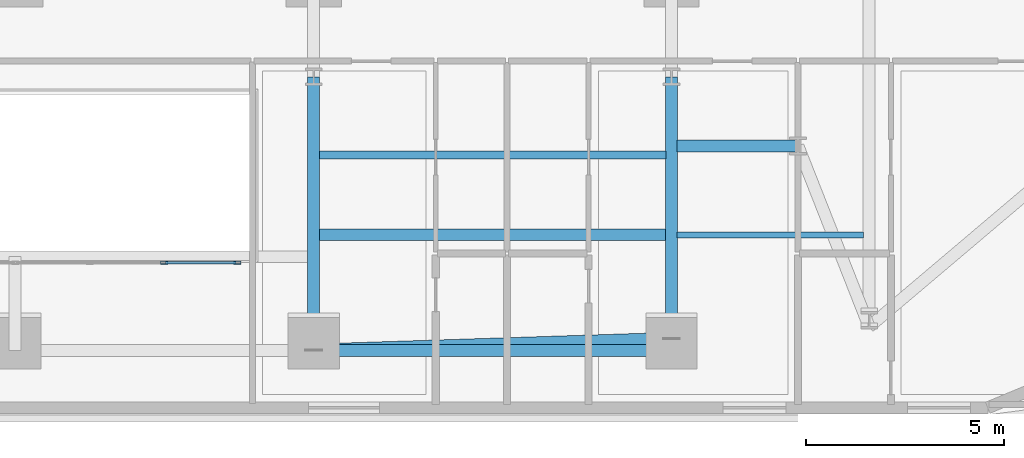
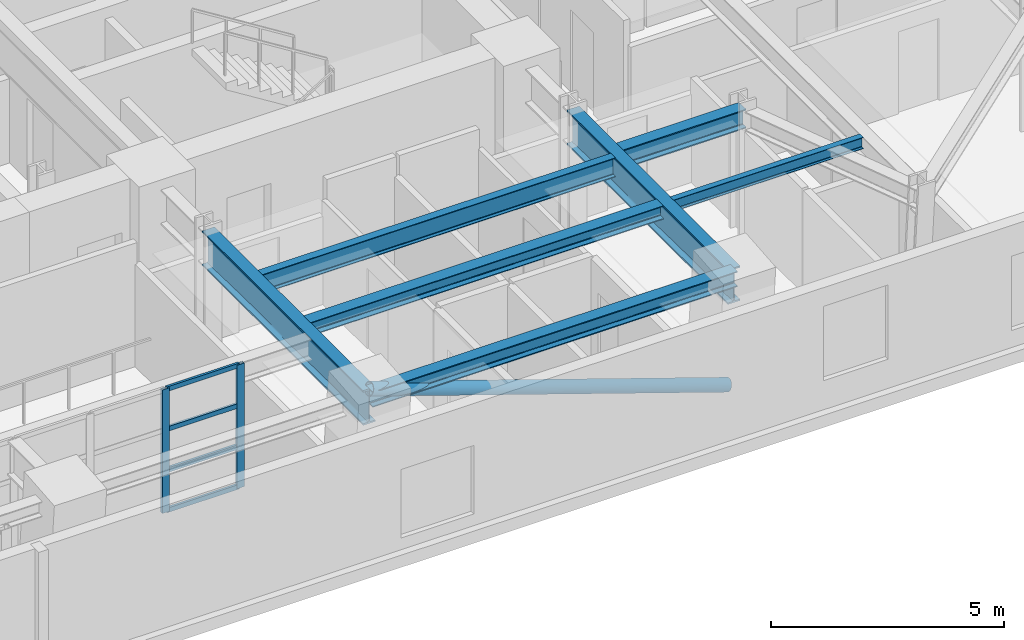
# One storey, part 5 of 16: 7 beams, 7 members, 1 element without a shape of its own.
"""IFC4 building model written with IfcOpenShell, lengths in metres."""

from ifc_helpers import new_model, si_unit, direction, frame, origin, origin_2d, place, context, subcontext, project, spatial, hollow_rectangle, hollow_circle, i_section, extrude, material, layer, layer_set, material_profile, profile_set, type_object, element, aggregate, save


model = new_model("IFC4")

# Units and contexts
model_context = context("Model", 3, precision=1e-05, world=origin(), true_north=direction((0.0, 1.0)))
body_context = subcontext(model_context, "Body", "Model", "MODEL_VIEW")
ifc_project = project(units=[si_unit("LENGTHUNIT", "METRE"), si_unit("AREAUNIT", "SQUARE_METRE"), si_unit("VOLUMEUNIT", "CUBIC_METRE"), si_unit("PLANEANGLEUNIT", "RADIAN"), si_unit("MASSUNIT", "GRAM", prefix="KILO")], contexts=[model_context])

# Site, building, storey
site_placement = place(None, origin())
site = spatial("IfcSite", under=ifc_project, at=site_placement, CompositionType="ELEMENT")
building_placement = place(site_placement, origin())
building = spatial("IfcBuilding", under=site, at=building_placement, Name="Zarnavel Station Tower", CompositionType="ELEMENT")
storey_placement = place(building_placement, frame((0.0, 0.0, 82.800048828125)))
storey = spatial("IfcBuildingStorey", under=building, at=storey_placement, Name="L22", CompositionType="ELEMENT", Elevation=82.800048828125)

# Curtain wall, members
ifc_material_1 = material(Name="Aluminium Dark Anodised and Solar-Control Glass", Category="aluminium")
ifc_layer = layer(ifc_material_1, 0.179931640625)
ifc_layer_set = layer_set([ifc_layer], Name="CWS3")
curtain_wall_type = type_object("IfcCurtainWallType", Name="CWS3", PredefinedType="NOTDEFINED", material=ifc_layer_set)
curtain_wall_placement = place(storey_placement, origin())
curtain_wall = element("IfcCurtainWall", 1, at=curtain_wall_placement, inside=storey, type_object=curtain_wall_type, Name="L22 Curtain Wall CWS3-L22-AS", PredefinedType="NOTDEFINED")
ifc_material_2 = material(Name="Steel S355J2 (Black Fluoropolymer Coated)", Category="steel")
ifc_material_profile_1 = material_profile(ifc_material_2, hollow_rectangle(XDim=0.080078125, YDim=0.179931640625, WallThickness=0.00634765625, at=origin_2d()), Name="RHS180x80x6.3")
ifc_profile_set_1 = profile_set([ifc_material_profile_1], Name="Steel S355J2 (Black Fluoropolymer Coated)")
member_type_1 = type_object("IfcMemberType", Name="CWS3_MUL", PredefinedType="MULLION", material=ifc_profile_set_1)
member_1_placement = place(storey_placement, frame((32.566650390625, 20.64990234375, 0.0), z_axis=(0.0, 0.0, 1.0), x_axis=(0.0, 1.0, 0.0)))
member_1 = element("IfcMember", 2, at=member_1_placement, type_object=member_type_1, Name="CW3 mullion 6", PredefinedType="MULLION", context=body_context, shape_type="SweptSolid", body=[
    extrude(hollow_rectangle(XDim=0.080078125, YDim=0.179931640625, WallThickness=0.00634765625, at=origin_2d()), origin(), (0.0, 0.0, 1.0), 3.239990234375),
])
member_2_placement = place(storey_placement, frame((34.419921875, 20.64990234375, 0.0), z_axis=(0.0, 0.0, 1.0), x_axis=(0.0, 1.0, 0.0)))
member_2 = element("IfcMember", 3, at=member_2_placement, type_object=member_type_1, Name="CW3 mullion 7", PredefinedType="MULLION", context=body_context, shape_type="SweptSolid", body=[
    extrude(hollow_rectangle(XDim=0.080078125, YDim=0.179931640625, WallThickness=0.00634765625, at=origin_2d()), origin(), (0.0, 0.0, 1.0), 3.239990234375),
])
ifc_material_3 = material(Name="Steel S355J2 (Black Fluoropolymer Coated)", Category="steel")
ifc_material_profile_2 = material_profile(ifc_material_3, hollow_rectangle(XDim=0.06005859375, YDim=0.1201171875, WallThickness=0.0048828125, at=origin_2d()), Name="RHS120x60x5")
ifc_profile_set_2 = profile_set([ifc_material_profile_2], Name="Steel S355J2 (Black Fluoropolymer Coated)")
member_type_2 = type_object("IfcMemberType", Name="CWS3_TRN", PredefinedType="USERDEFINED", material=ifc_profile_set_2)
member_3_placement = place(storey_placement, frame((32.5966796875, 20.64990234375, 0.030029296875), z_axis=(1.0, 0.0, 0.0), x_axis=(0.0, 1.0, 0.0)))
member_3 = element("IfcMember", 4, at=member_3_placement, type_object=member_type_2, Name="CW3 transom 6.1", ObjectType="TRANSOM", PredefinedType="USERDEFINED", context=body_context, shape_type="SweptSolid", body=[
    extrude(hollow_rectangle(XDim=0.06005859375, YDim=0.1201171875, WallThickness=0.0048828125, at=origin_2d()), origin(), (0.0, 0.0, 1.0), 1.793212890625),
])
member_4_placement = place(storey_placement, frame((32.5966796875, 20.64990234375, 1.079833984375), z_axis=(1.0, 0.0, 0.0), x_axis=(0.0, 1.0, 0.0)))
member_4 = element("IfcMember", 5, at=member_4_placement, type_object=member_type_2, Name="CW3 transom 6.2", ObjectType="TRANSOM", PredefinedType="USERDEFINED", context=body_context, shape_type="SweptSolid", body=[
    extrude(hollow_rectangle(XDim=0.06005859375, YDim=0.1201171875, WallThickness=0.0048828125, at=origin_2d()), origin(), (0.0, 0.0, 1.0), 1.793212890625),
])
member_5_placement = place(storey_placement, frame((32.5966796875, 20.64990234375, 2.159912109375), z_axis=(1.0, 0.0, 0.0), x_axis=(0.0, 1.0, 0.0)))
member_5 = element("IfcMember", 6, at=member_5_placement, type_object=member_type_2, Name="CW3 transom 6.3", ObjectType="TRANSOM", PredefinedType="USERDEFINED", context=body_context, shape_type="SweptSolid", body=[
    extrude(hollow_rectangle(XDim=0.06005859375, YDim=0.1201171875, WallThickness=0.0048828125, at=origin_2d()), origin(), (0.0, 0.0, 1.0), 1.793212890625),
])
member_6_placement = place(storey_placement, frame((32.5966796875, 20.64990234375, 3.2099609375), z_axis=(1.0, 0.0, 0.0), x_axis=(0.0, 1.0, 0.0)))
member_6 = element("IfcMember", 7, at=member_6_placement, type_object=member_type_2, Name="CW3 transom 6.4", ObjectType="TRANSOM", PredefinedType="USERDEFINED", context=body_context, shape_type="SweptSolid", body=[
    extrude(hollow_rectangle(XDim=0.06005859375, YDim=0.1201171875, WallThickness=0.0048828125, at=origin_2d()), origin(), (0.0, 0.0, 1.0), 1.793212890625),
])
aggregate(curtain_wall, [member_1, member_2, member_3, member_4, member_5, member_6])

# Member
ifc_material_4 = material(Name="Steel S355J2", Category="steel")
ifc_material_profile_3 = material_profile(ifc_material_4, hollow_circle(Radius=0.161865234375, WallThickness=0.012451171875, at=origin_2d()), Name="CHS323.9x12.5")
ifc_profile_set_3 = profile_set([ifc_material_profile_3], Name="Steel S355J2")
member_type_3 = type_object("IfcMemberType", Name="DB_EXT_CHS324", PredefinedType="BRACE", material=ifc_profile_set_3)
member_7_placement = place(storey_placement, frame((45.39990234375, 18.724609375, 0.0), z_axis=(-0.94104157458, -0.030540439576, 0.336909537505), x_axis=(0.032436790978, -0.999473788846, 0.0)))
element("IfcMember", 8, at=member_7_placement, inside=storey, type_object=member_type_3, Name="L22 Persian Exterior Diagonal Frame Brace 2", PredefinedType="BRACE", context=body_context, shape_type="SweptSolid", body=[
    extrude(hollow_circle(Radius=0.161865234375, WallThickness=0.012451171875, at=origin_2d()), origin(), (0.0, 0.0, 1.0), 9.61669921875),
])

# Beams
ifc_material_5 = material(Name="Steel S355J2", Category="steel")
ifc_material_profile_4 = material_profile(ifc_material_5, i_section(OverallWidth=0.300048828125, OverallDepth=0.39990234375, WebThickness=0.013427734375, FlangeThickness=0.02392578125, FilletRadius=0.027099609375, at=origin_2d()), Name="HEB400")
ifc_profile_set_4 = profile_set([ifc_material_profile_4], Name="Steel S355J2")
beam_type_1 = type_object("IfcBeamType", Name="EB_HEB400", PredefinedType="SPANDREL", material=ifc_profile_set_4)
beam_1_placement = place(storey_placement, frame((36.35009765625, 18.430908203125, 3.0400390625), z_axis=(1.0, 0.0, 0.0), x_axis=(0.0, 1.0, 0.0)))
element("IfcBeam", 9, at=beam_1_placement, inside=storey, type_object=beam_type_1, Name="L22 South Raked Spandrel 4", PredefinedType="SPANDREL", context=body_context, shape_type="SweptSolid", body=[
    extrude(i_section(OverallWidth=0.300048828125, OverallDepth=0.39990234375, WebThickness=0.013427734375, FlangeThickness=0.02392578125, FilletRadius=0.027099609375, at=origin_2d()), origin(), (0.0, 0.0, 1.0), 9.0498046875),
])
ifc_material_6 = material(Name="Steel S355J2", Category="steel")
ifc_material_profile_5 = material_profile(ifc_material_6, i_section(OverallWidth=0.300048828125, OverallDepth=0.35009765625, WebThickness=0.010009765625, FlangeThickness=0.017578125, FilletRadius=0.027099609375, at=origin_2d()), Name="HEA360")
ifc_profile_set_5 = profile_set([ifc_material_profile_5], Name="Steel S355J2")
beam_type_2 = type_object("IfcBeamType", Name="FB_HEA360", PredefinedType="BEAM", material=ifc_profile_set_5)
beam_2_placement = place(storey_placement, frame((36.4951171875, 21.35400390625, 3.06494140625), z_axis=(1.0, 0.0, 0.0), x_axis=(0.0, 1.0, 0.0)))
element("IfcBeam", 10, at=beam_2_placement, inside=storey, type_object=beam_type_2, Name="L22 East Bay Beam 1", PredefinedType="BEAM", context=body_context, shape_type="SweptSolid", body=[
    extrude(i_section(OverallWidth=0.300048828125, OverallDepth=0.35009765625, WebThickness=0.010009765625, FlangeThickness=0.017578125, FilletRadius=0.027099609375, at=origin_2d()), origin(), (0.0, 0.0, 1.0), 8.759765625),
])
ifc_material_7 = material(Name="Steel S355J2", Category="steel")
ifc_material_profile_6 = material_profile(ifc_material_7, i_section(OverallWidth=0.199951171875, OverallDepth=0.5, WebThickness=0.01025390625, FlangeThickness=0.01611328125, FilletRadius=0.02099609375, at=origin_2d()), Name="IPE500")
ifc_profile_set_6 = profile_set([ifc_material_profile_6], Name="Steel S355J2")
beam_type_3 = type_object("IfcBeamType", Name="FB_IPE500", PredefinedType="BEAM", material=ifc_profile_set_6)
beam_3_placement = place(storey_placement, frame((36.4951171875, 23.376953125, 2.989990234375), z_axis=(1.0, 0.0, 0.0), x_axis=(0.0, 1.0, 0.0)))
element("IfcBeam", 11, at=beam_3_placement, inside=storey, type_object=beam_type_3, Name="L22 East Bay Beam 2", PredefinedType="BEAM", context=body_context, shape_type="SweptSolid", body=[
    extrude(i_section(OverallWidth=0.199951171875, OverallDepth=0.5, WebThickness=0.01025390625, FlangeThickness=0.01611328125, FilletRadius=0.02099609375, at=origin_2d()), origin(), (0.0, 0.0, 1.0), 8.759765625),
])
ifc_material_8 = material(Name="Steel S355J2", Category="steel")
ifc_material_profile_7 = material_profile(ifc_material_8, i_section(OverallWidth=0.300048828125, OverallDepth=0.5, WebThickness=0.014404296875, FlangeThickness=0.028076171875, FilletRadius=0.027099609375, at=origin_2d()), Name="HEB500")
ifc_profile_set_7 = profile_set([ifc_material_profile_7], Name="Steel S355J2")
beam_type_4 = type_object("IfcBeamType", Name="FG_HEB500", PredefinedType="USERDEFINED", material=ifc_profile_set_7)
beam_4_placement = place(storey_placement, frame((45.544921875, 23.60009765625, 2.989990234375), z_axis=(1.0, 0.0, 0.0), x_axis=(0.0, 1.0, 0.0)))
element("IfcBeam", 12, at=beam_4_placement, inside=storey, type_object=beam_type_4, Name="L22 East Wing South Tie 1", ObjectType="GIRDER", PredefinedType="USERDEFINED", context=body_context, shape_type="SweptSolid", body=[
    extrude(i_section(OverallWidth=0.300048828125, OverallDepth=0.5, WebThickness=0.014404296875, FlangeThickness=0.028076171875, FilletRadius=0.027099609375, at=origin_2d()), origin(), (0.0, 0.0, 1.0), 3.05517578125),
])
ifc_material_9 = material(Name="Steel S355J2", Category="steel")
ifc_material_profile_8 = material_profile(ifc_material_9, i_section(OverallWidth=0.14990234375, OverallDepth=0.300048828125, WebThickness=0.007080078125, FlangeThickness=0.0107421875, FilletRadius=0.014892578125, at=origin_2d()), Name="IPE300")
ifc_profile_set_8 = profile_set([ifc_material_profile_8], Name="Steel S355J2")
beam_type_5 = type_object("IfcBeamType", Name="FJ_IPE300", PredefinedType="JOIST", material=ifc_profile_set_8)
beam_5_placement = place(storey_placement, frame((45.544921875, 21.35400390625, 3.08984375), z_axis=(1.0, 0.0, 0.0), x_axis=(0.0, 1.0, 0.0)))
element("IfcBeam", 13, at=beam_5_placement, inside=storey, type_object=beam_type_5, Name="L22 East Wing Joist 1", PredefinedType="JOIST", context=body_context, shape_type="SweptSolid", body=[
    extrude(i_section(OverallWidth=0.14990234375, OverallDepth=0.300048828125, WebThickness=0.007080078125, FlangeThickness=0.0107421875, FilletRadius=0.014892578125, at=origin_2d()), origin(), (0.0, 0.0, 1.0), 4.7099609375),
])
ifc_material_10 = material(Name="Steel S460M", Category="steel")
ifc_material_profile_9 = material_profile(ifc_material_10, i_section(OverallWidth=0.302001953125, OverallDepth=0.909912109375, WebThickness=0.02099609375, FlangeThickness=0.0400390625, FilletRadius=0.030029296875, at=origin_2d()), Name="HEM900")
ifc_profile_set_9 = profile_set([ifc_material_profile_9], Name="Steel S460M")
beam_type_6 = type_object("IfcBeamType", Name="TG_HEM900", PredefinedType="USERDEFINED", material=ifc_profile_set_9)
for number, where, z_axis, x_axis, name in (
    (14, (36.35009765625, 18.430908203125, 2.784912109375), (0.0, 1.0, 0.0), (-1.0, 0.0, 0.0), "L22 South-Zone NS Girder 4"),
    (15, (45.39990234375, 18.430908203125, 2.784912109375), (0.0, 1.0, 0.0), (-1.0, 0.0, 0.0), "L22 South-Zone NS Girder 5"),
):
    element("IfcBeam", number, at=place(storey_placement, frame(where, z_axis=z_axis, x_axis=x_axis)), inside=storey, type_object=beam_type_6, Name=name, ObjectType="GIRDER", PredefinedType="USERDEFINED", context=body_context, shape_type="SweptSolid", body=[
        extrude(i_section(OverallWidth=0.302001953125, OverallDepth=0.909912109375, WebThickness=0.02099609375, FlangeThickness=0.0400390625, FilletRadius=0.030029296875, at=origin_2d()), origin(), (0.0, 0.0, 1.0), 6.919189453125),
    ])

save(model, "model.ifc")
